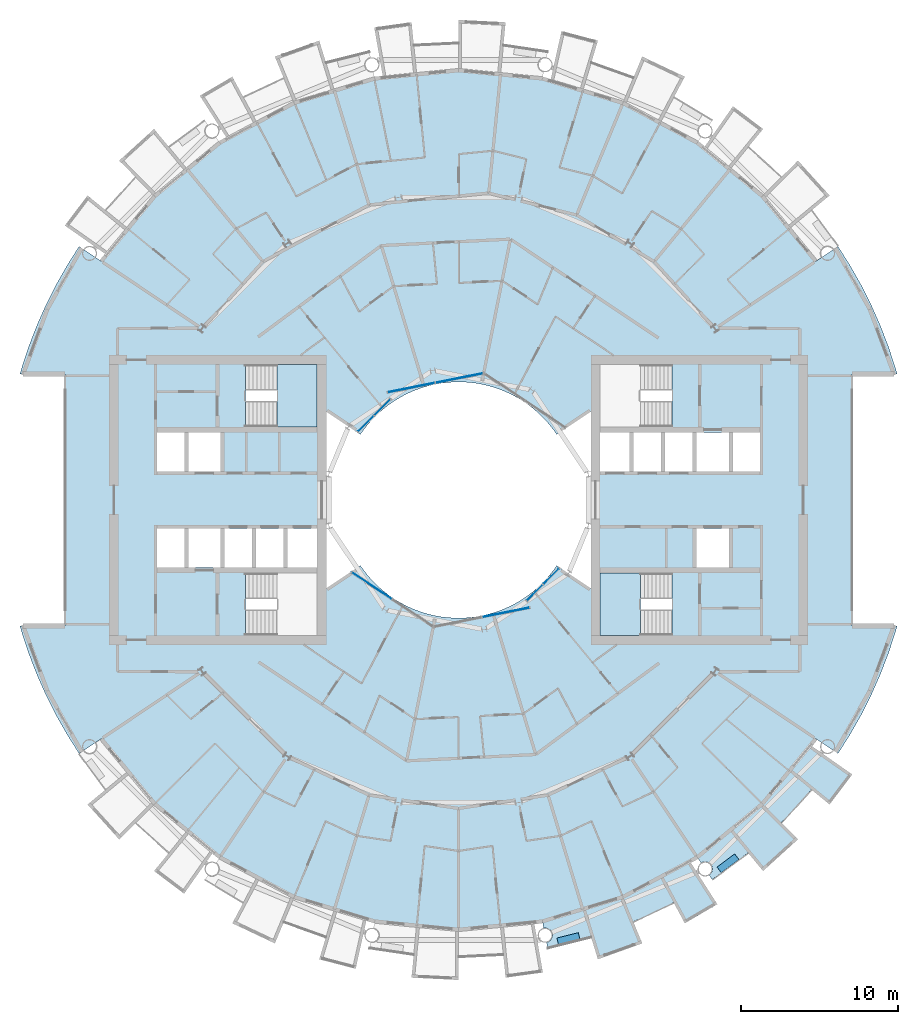
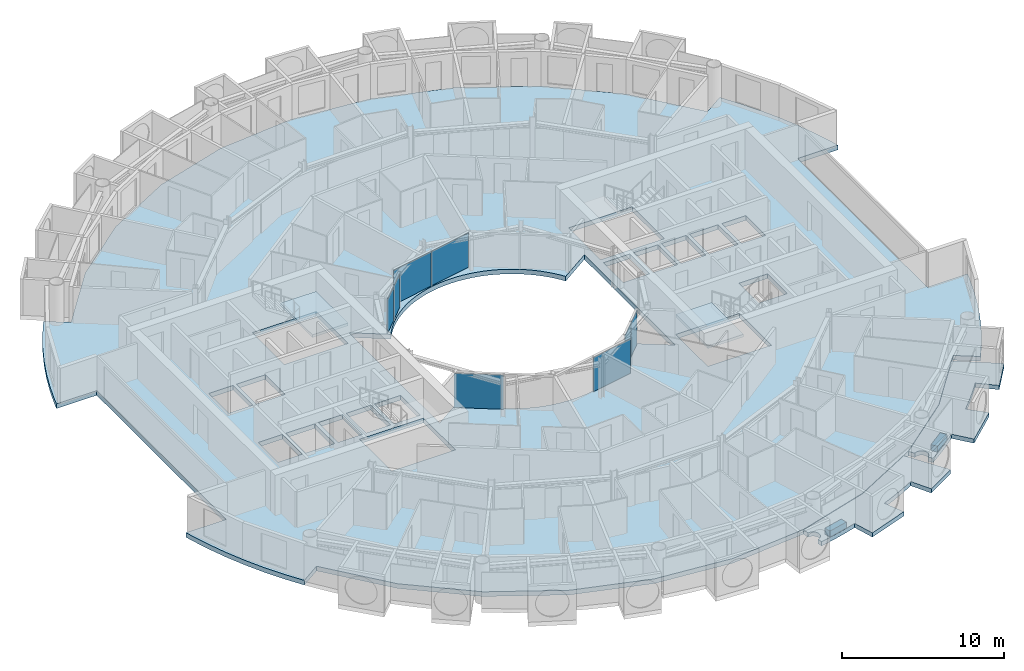
# One storey, part 11 of 27: 8 plates, 7 slabs, 7 elements without a shape of their own.
"""IFC4 building model written with IfcOpenShell, lengths in metres."""

from ifc_helpers import new_model, si_unit, direction, frame, origin, origin_2d, place, context, subcontext, project, spatial, polyline, rectangle, outline, extrude, material, layer, layer_set, type_object, element, aggregate, save


model = new_model("IFC4")

# Units and contexts
model_context = context("Model", 3, precision=1e-05, world=origin(), true_north=direction((0.0, 1.0)))
body_context = subcontext(model_context, "Body", "Model", "MODEL_VIEW")
ifc_project = project(units=[si_unit("LENGTHUNIT", "METRE"), si_unit("AREAUNIT", "SQUARE_METRE"), si_unit("VOLUMEUNIT", "CUBIC_METRE"), si_unit("PLANEANGLEUNIT", "RADIAN"), si_unit("MASSUNIT", "GRAM", prefix="KILO")], contexts=[model_context])

# Site, building, storey
site_placement = place(None, origin())
site = spatial("IfcSite", under=ifc_project, at=site_placement, CompositionType="ELEMENT")
building_placement = place(site_placement, origin())
building = spatial("IfcBuilding", under=site, at=building_placement, Name="Maasbend Ring Residences", CompositionType="ELEMENT")
storey_placement = place(building_placement, frame((0.0, 0.0, 126.89990234375)))
storey = spatial("IfcBuildingStorey", under=building, at=storey_placement, Name="L36", CompositionType="ELEMENT", Elevation=126.89990234375)

# Stair, slab
ifc_material_1 = material(Name="Concrete C40/50", Category="concrete")
stair_type = type_object("IfcStairType", Name="CORE STAIR 18 RISERS", PredefinedType="HALF_TURN_STAIR", material=ifc_material_1)
stair_1_placement = place(storey_placement, origin())
stair_1 = element("IfcStair", 1, at=stair_1_placement, inside=storey, type_object=stair_type, Name="L36 Exit stair ST-E2", PredefinedType="HALF_TURN_STAIR")
ifc_material_2 = material(Name="Concrete C40/50", Category="concrete")
ifc_layer_1 = layer(ifc_material_2, 0.199951171875)
ifc_layer_set_1 = layer_set([ifc_layer_1], Name="Concrete C40/50")
slab_type_1 = type_object("IfcSlabType", Name="CORE STAIR LANDING 200", PredefinedType="LANDING", material=ifc_layer_set_1)
slab_1_placement = place(storey_placement, frame((0.0, 0.0, 1.3251953125)))
slab_1 = element("IfcSlab", 2, at=slab_1_placement, type_object=slab_type_1, Name="ST-E2 landing 1", PredefinedType="LANDING", context=body_context, shape_type="SweptSolid", body=[
    extrude(outline(polyline([(11.550048828125, -4.64990234375), (9.0, -4.64990234375), (9.0, -8.60009765625), (11.550048828125, -8.60009765625), (11.550048828125, -4.64990234375)])), origin(), (0.0, 0.0, 1.0), 0.199951171875),
])
aggregate(stair_1, [slab_1])

stair_2_placement = place(storey_placement, origin())
stair_2 = element("IfcStair", 3, at=stair_2_placement, inside=storey, type_object=stair_type, Name="L36 Exit stair ST-W2", PredefinedType="HALF_TURN_STAIR")
slab_2_placement = place(storey_placement, frame((0.0, 0.0, 1.3251953125)))
slab_2 = element("IfcSlab", 4, at=slab_2_placement, type_object=slab_type_1, Name="ST-W2 landing 1", PredefinedType="LANDING", context=body_context, shape_type="SweptSolid", body=[
    extrude(outline(polyline([(-11.550048828125, 4.64990234375), (-9.0, 4.64990234375), (-9.0, 8.60009765625), (-11.550048828125, 8.60009765625), (-11.550048828125, 4.64990234375)])), origin(), (0.0, 0.0, 1.0), 0.199951171875),
])
aggregate(stair_2, [slab_2])

# Curtain wall, plates
ifc_material_3 = material(Name="Aluminium and clear glass", Category="aluminium")
ifc_layer_2 = layer(ifc_material_3, 0.179931640625)
ifc_layer_set_2 = layer_set([ifc_layer_2], Name="CW-W")
curtain_wall_type = type_object("IfcCurtainWallType", Name="CW-W", PredefinedType="NOTDEFINED", material=ifc_layer_set_2)
curtain_wall_1_placement = place(storey_placement, origin())
curtain_wall_1 = element("IfcCurtainWall", 5, at=curtain_wall_1_placement, inside=storey, type_object=curtain_wall_type, Name="Well curtain wall N2", PredefinedType="NOTDEFINED")
ifc_material_4 = material(Name="Glass clear laminated", Category="glass")
ifc_layer_3 = layer(ifc_material_4, 0.031982421875)
ifc_layer_set_3 = layer_set([ifc_layer_3], Name="CWP-W")
plate_type = type_object("IfcPlateType", Name="CWP-W", PredefinedType="CURTAIN_PANEL", material=ifc_layer_set_3)
plate_1_placement = place(storey_placement, frame((0.04638671875, 7.747802734375, 0.0), z_axis=(0.0, 0.0, 1.0), x_axis=(-0.980785280403, -0.195090322016, 0.0)))
plate_1 = element("IfcPlate", 6, at=plate_1_placement, type_object=plate_type, Name="Glass panel well face", PredefinedType="CURTAIN_PANEL", context=body_context, shape_type="SweptSolid", body=[
    extrude(rectangle(XDim=3.053955078125, YDim=0.031982421875, at=origin_2d()), origin(), (0.0, 0.0, 1.0), 2.580078125),
])
plate_2_placement = place(storey_placement, frame((-3.0078125, 7.140380859375, 0.0), z_axis=(0.0, 0.0, 1.0), x_axis=(-0.980785280403, -0.195090322016, 0.0)))
plate_2 = element("IfcPlate", 7, at=plate_2_placement, type_object=plate_type, Name="Glass panel well face", PredefinedType="CURTAIN_PANEL", context=body_context, shape_type="SweptSolid", body=[
    extrude(rectangle(XDim=3.053955078125, YDim=0.031982421875, at=origin_2d()), origin(), (0.0, 0.0, 1.0), 2.580078125),
])
aggregate(curtain_wall_1, [plate_1, plate_2])

curtain_wall_2_placement = place(storey_placement, origin())
curtain_wall_2 = element("IfcCurtainWall", 8, at=curtain_wall_2_placement, inside=storey, type_object=curtain_wall_type, Name="Well curtain wall N3", PredefinedType="NOTDEFINED")
plate_3_placement = place(storey_placement, frame((-4.84375, 5.89013671875, 0.0), z_axis=(0.0, 0.0, 1.0), x_axis=(-0.707106781187, -0.707106781187, 0.0)))
plate_3 = element("IfcPlate", 9, at=plate_3_placement, type_object=plate_type, Name="Glass panel well face", PredefinedType="CURTAIN_PANEL", context=body_context, shape_type="SweptSolid", body=[
    extrude(rectangle(XDim=1.419677734375, YDim=0.031982421875, at=origin_2d()), origin(), (0.0, 0.0, 1.0), 2.580078125),
])
plate_4_placement = place(storey_placement, frame((-5.89013671875, 4.84375, 0.0), z_axis=(0.0, 0.0, 1.0), x_axis=(-0.707106781187, -0.707106781187, 0.0)))
plate_4 = element("IfcPlate", 10, at=plate_4_placement, type_object=plate_type, Name="Glass panel well face", PredefinedType="CURTAIN_PANEL", context=body_context, shape_type="SweptSolid", body=[
    extrude(rectangle(XDim=1.419677734375, YDim=0.031982421875, at=origin_2d()), origin(), (0.0, 0.0, 1.0), 2.580078125),
])
aggregate(curtain_wall_2, [plate_3, plate_4])

# Curtain wall, plate
curtain_wall_3_placement = place(storey_placement, origin())
curtain_wall_3 = element("IfcCurtainWall", 11, at=curtain_wall_3_placement, inside=storey, type_object=curtain_wall_type, Name="Well curtain wall S1", PredefinedType="NOTDEFINED")
plate_5_placement = place(storey_placement, frame((-5.51123046875, -5.44580078125, 0.0), z_axis=(0.0, 0.0, 1.0), x_axis=(0.831469612303, -0.55557023302, 0.0)))
plate_5 = element("IfcPlate", 12, at=plate_5_placement, type_object=plate_type, Name="Glass panel well face", PredefinedType="CURTAIN_PANEL", context=body_context, shape_type="SweptSolid", body=[
    extrude(rectangle(XDim=3.053955078125, YDim=0.031982421875, at=origin_2d()), origin(), (0.0, 0.0, 1.0), 2.580078125),
])
aggregate(curtain_wall_3, [plate_5])

curtain_wall_4_placement = place(storey_placement, origin())
curtain_wall_4 = element("IfcCurtainWall", 13, at=curtain_wall_4_placement, inside=storey, type_object=curtain_wall_type, Name="Well curtain wall S2", PredefinedType="NOTDEFINED")
plate_6_placement = place(storey_placement, frame((3.0078125, -7.140380859375, 0.0), z_axis=(0.0, 0.0, 1.0), x_axis=(0.980785280403, 0.195090322016, 0.0)))
plate_6 = element("IfcPlate", 14, at=plate_6_placement, type_object=plate_type, Name="Glass panel well face", PredefinedType="CURTAIN_PANEL", context=body_context, shape_type="SweptSolid", body=[
    extrude(rectangle(XDim=3.053955078125, YDim=0.031982421875, at=origin_2d()), origin(), (0.0, 0.0, 1.0), 2.580078125),
])
aggregate(curtain_wall_4, [plate_6])

# Curtain wall, plates
curtain_wall_5_placement = place(storey_placement, origin())
curtain_wall_5 = element("IfcCurtainWall", 15, at=curtain_wall_5_placement, inside=storey, type_object=curtain_wall_type, Name="Well curtain wall S3", PredefinedType="NOTDEFINED")
plate_7_placement = place(storey_placement, frame((4.84375, -5.89013671875, 0.0), z_axis=(0.0, 0.0, 1.0), x_axis=(0.707106781187, 0.707106781187, 0.0)))
plate_7 = element("IfcPlate", 16, at=plate_7_placement, type_object=plate_type, Name="Glass panel well face", PredefinedType="CURTAIN_PANEL", context=body_context, shape_type="SweptSolid", body=[
    extrude(rectangle(XDim=1.419677734375, YDim=0.031982421875, at=origin_2d()), origin(), (0.0, 0.0, 1.0), 2.580078125),
])
plate_8_placement = place(storey_placement, frame((5.89013671875, -4.84375, 0.0), z_axis=(0.0, 0.0, 1.0), x_axis=(0.707106781187, 0.707106781187, 0.0)))
plate_8 = element("IfcPlate", 17, at=plate_8_placement, type_object=plate_type, Name="Glass panel well face", PredefinedType="CURTAIN_PANEL", context=body_context, shape_type="SweptSolid", body=[
    extrude(rectangle(XDim=1.419677734375, YDim=0.031982421875, at=origin_2d()), origin(), (0.0, 0.0, 1.0), 2.580078125),
])
aggregate(curtain_wall_5, [plate_7, plate_8])

# Slabs
ifc_material_5 = material(Name="Planting with climbing greenery")
ifc_layer_4 = layer(ifc_material_5, 0.449951171875)
ifc_layer_set_4 = layer_set([ifc_layer_4], Name="PLANTER-LG")
slab_type_2 = type_object("IfcSlabType", Name="PLANTER-LG", PredefinedType="USERDEFINED", material=ifc_layer_set_4)
slab_3_placement = place(storey_placement, frame((0.0, 0.0, -0.02978515625)))
element("IfcSlab", 18, at=slab_3_placement, inside=storey, type_object=slab_type_2, Name="Planter with climbing greenery 4", ObjectType="PLANTER", PredefinedType="USERDEFINED", context=body_context, shape_type="SweptSolid", body=[
    extrude(outline(polyline([(6.35888671875, -28.26708984375), (7.717041015625, -27.927001953125), (7.60791015625, -27.489990234375), (6.25, -27.8310546875), (6.35888671875, -28.26708984375)])), origin(), (0.0, 0.0, 1.0), 0.449951171875),
])
slab_4_placement = place(storey_placement, frame((0.0, 0.0, -0.02978515625)))
element("IfcSlab", 19, at=slab_4_placement, inside=storey, type_object=slab_type_2, Name="Planter with climbing greenery 5", ObjectType="PLANTER", PredefinedType="USERDEFINED", context=body_context, shape_type="SweptSolid", body=[
    extrude(outline(polyline([(16.69189453125, -23.681884765625), (17.81689453125, -22.847900390625), (17.549072265625, -22.487060546875), (16.424072265625, -23.321044921875), (16.69189453125, -23.681884765625)])), origin(), (0.0, 0.0, 1.0), 0.449951171875),
])
ifc_material_6 = material(Name="Concrete C40/50", Category="concrete")
ifc_layer_5 = layer(ifc_material_6, 0.35009765625)
ifc_layer_set_5 = layer_set([ifc_layer_5], Name="Concrete C40/50")
slab_type_3 = type_object("IfcSlabType", Name="Post-tensioned flat plate 350", PredefinedType="FLOOR", material=ifc_layer_set_5)
slab_5_placement = place(storey_placement, frame((0.0, 0.0, -0.349853515625)))
element("IfcSlab", 20, at=slab_5_placement, inside=storey, type_object=slab_type_3, Name="Floor slab L36", PredefinedType="FLOOR", context=body_context, shape_type="SweptSolid", body=[
    extrude(outline(polyline([(24.8740234375, -14.908935546875), (25.57568359375, -13.67041015625), (26.2158203125, -12.399169921875), (26.79248046875, -11.097900390625), (27.3046875, -9.769775390625), (27.751220703125, -8.418212890625), (27.866943359375, -8.0), (25.0, -8.0), (25.0, 8.0), (27.866943359375, 8.0), (27.751220703125, 8.418212890625), (27.3046875, 9.769775390625), (26.79248046875, 11.097900390625), (26.2158203125, 12.399169921875), (25.57568359375, 13.67041015625), (24.8740234375, 14.908935546875), (24.112548828125, 16.111572265625), (22.69921875, 15.1669921875), (19.303955078125, 19.303955078125), (15.1669921875, 22.69921875), (10.447265625, 25.221923828125), (5.325927734375, 26.775390625), (0.0, 27.300048828125), (-5.325927734375, 26.775390625), (-10.447265625, 25.221923828125), (-15.1669921875, 22.69921875), (-19.303955078125, 19.303955078125), (-22.69921875, 15.1669921875), (-24.112548828125, 16.111572265625), (-24.8740234375, 14.908935546875), (-25.57568359375, 13.67041015625), (-26.2158203125, 12.399169921875), (-26.79248046875, 11.097900390625), (-27.3046875, 9.769775390625), (-27.751220703125, 8.418212890625), (-27.866943359375, 8.0), (-25.0, 8.0), (-25.0, -8.0), (-27.866943359375, -8.0), (-27.751220703125, -8.418212890625), (-27.3046875, -9.769775390625), (-26.79248046875, -11.097900390625), (-26.2158203125, -12.399169921875), (-25.57568359375, -13.67041015625), (-24.8740234375, -14.908935546875), (-24.112548828125, -16.111572265625), (-22.69921875, -15.1669921875), (-19.303955078125, -19.303955078125), (-15.1669921875, -22.69921875), (-10.447265625, -25.221923828125), (-5.325927734375, -26.775390625), (0.0, -27.300048828125), (5.325927734375, -26.775390625), (10.447265625, -25.221923828125), (15.1669921875, -22.69921875), (19.303955078125, -19.303955078125), (22.69921875, -15.1669921875), (24.112548828125, -16.111572265625), (24.8740234375, -14.908935546875)]), holes=[polyline([(17.425048828125, 4.27490234375), (19.14990234375, 4.27490234375), (19.14990234375, 1.824951171875), (17.425048828125, 1.824951171875), (17.425048828125, 4.27490234375)]), polyline([(15.125, 1.824951171875), (15.125, 4.27490234375), (17.175048828125, 4.27490234375), (17.175048828125, 1.824951171875), (15.125, 1.824951171875)]), polyline([(15.125, -4.27490234375), (15.125, -1.824951171875), (17.175048828125, -1.824951171875), (17.175048828125, -4.27490234375), (15.125, -4.27490234375)]), polyline([(13.125, 1.824951171875), (13.125, 4.27490234375), (14.875, 4.27490234375), (14.875, 1.824951171875), (13.125, 1.824951171875)]), polyline([(13.550048828125, 4.64990234375), (9.0, 4.64990234375), (9.0, 8.60009765625), (13.550048828125, 8.60009765625), (13.550048828125, 4.64990234375)]), polyline([(13.550048828125, -4.64990234375), (13.550048828125, -8.60009765625), (9.0, -8.60009765625), (9.0, -4.64990234375), (13.550048828125, -4.64990234375)]), polyline([(11.125, 1.824951171875), (11.125, 4.27490234375), (12.875, 4.27490234375), (12.875, 1.824951171875), (11.125, 1.824951171875)]), polyline([(9.0, 1.824951171875), (9.0, 4.27490234375), (10.875, 4.27490234375), (10.875, 1.824951171875), (9.0, 1.824951171875)]), polyline([(6.024169921875, 4.4677734375), (6.236083984375, 4.166748046875), (8.39990234375, 5.61279296875), (8.39990234375, -5.61279296875), (6.236083984375, -4.166748046875), (6.024169921875, -4.4677734375), (5.797607421875, -4.7578125), (5.55712890625, -5.03662109375), (5.30322265625, -5.30322265625), (5.03662109375, -5.55712890625), (4.7578125, -5.797607421875), (4.4677734375, -6.024169921875), (4.166748046875, -6.236083984375), (3.855712890625, -6.43310546875), (3.535400390625, -6.614501953125), (3.206787109375, -6.77978515625), (2.8701171875, -6.92919921875), (2.526611328125, -7.0615234375), (2.177001953125, -7.177001953125), (1.822509765625, -7.275146484375), (1.463134765625, -7.35595703125), (1.1005859375, -7.418701171875), (0.735107421875, -7.4638671875), (0.367919921875, -7.490966796875), (0.0, -7.5), (-0.367919921875, -7.490966796875), (-0.735107421875, -7.4638671875), (-1.1005859375, -7.418701171875), (-1.463134765625, -7.35595703125), (-1.822509765625, -7.275146484375), (-2.177001953125, -7.177001953125), (-2.526611328125, -7.0615234375), (-2.8701171875, -6.92919921875), (-3.206787109375, -6.77978515625), (-3.535400390625, -6.614501953125), (-3.855712890625, -6.43310546875), (-4.166748046875, -6.236083984375), (-4.4677734375, -6.024169921875), (-4.7578125, -5.797607421875), (-5.03662109375, -5.55712890625), (-5.30322265625, -5.30322265625), (-5.55712890625, -5.03662109375), (-5.797607421875, -4.7578125), (-6.024169921875, -4.4677734375), (-6.236083984375, -4.166748046875), (-8.39990234375, -5.61279296875), (-8.39990234375, 5.61279296875), (-6.236083984375, 4.166748046875), (-6.236083984375, 4.166748046875), (-6.024169921875, 4.4677734375), (-5.797607421875, 4.7578125), (-5.55712890625, 5.03662109375), (-5.30322265625, 5.30322265625), (-5.03662109375, 5.55712890625), (-4.7578125, 5.797607421875), (-4.4677734375, 6.024169921875), (-4.166748046875, 6.236083984375), (-3.855712890625, 6.43310546875), (-3.535400390625, 6.614501953125), (-3.206787109375, 6.77978515625), (-2.8701171875, 6.92919921875), (-2.526611328125, 7.0615234375), (-2.177001953125, 7.177001953125), (-1.822509765625, 7.275146484375), (-1.463134765625, 7.35595703125), (-1.1005859375, 7.418701171875), (-0.735107421875, 7.4638671875), (-0.367919921875, 7.490966796875), (0.0, 7.5), (0.367919921875, 7.490966796875), (0.735107421875, 7.4638671875), (1.1005859375, 7.418701171875), (1.463134765625, 7.35595703125), (1.822509765625, 7.275146484375), (2.177001953125, 7.177001953125), (2.526611328125, 7.0615234375), (2.8701171875, 6.92919921875), (3.206787109375, 6.77978515625), (3.535400390625, 6.614501953125), (3.855712890625, 6.43310546875), (4.166748046875, 6.236083984375), (4.4677734375, 6.024169921875), (4.7578125, 5.797607421875), (5.03662109375, 5.55712890625), (5.30322265625, 5.30322265625), (5.55712890625, 5.03662109375), (5.797607421875, 4.7578125), (6.024169921875, 4.4677734375)]), polyline([(-13.550048828125, 4.64990234375), (-13.550048828125, 8.60009765625), (-9.0, 8.60009765625), (-9.0, 4.64990234375), (-13.550048828125, 4.64990234375)]), polyline([(-13.550048828125, -8.60009765625), (-13.550048828125, -4.64990234375), (-9.0, -4.64990234375), (-9.0, -8.60009765625), (-13.550048828125, -8.60009765625)]), polyline([(-9.0, -1.824951171875), (-9.0, -4.27490234375), (-10.875, -4.27490234375), (-10.875, -1.824951171875), (-9.0, -1.824951171875)]), polyline([(-11.125, -1.824951171875), (-11.125, -4.27490234375), (-12.875, -4.27490234375), (-12.875, -1.824951171875), (-11.125, -1.824951171875)]), polyline([(-13.125, -1.824951171875), (-13.125, -4.27490234375), (-14.875, -4.27490234375), (-14.875, -1.824951171875), (-13.125, -1.824951171875)]), polyline([(-15.125, 4.27490234375), (-15.125, 1.824951171875), (-17.175048828125, 1.824951171875), (-17.175048828125, 4.27490234375), (-15.125, 4.27490234375)]), polyline([(-15.125, -1.824951171875), (-15.125, -4.27490234375), (-17.175048828125, -4.27490234375), (-17.175048828125, -1.824951171875), (-15.125, -1.824951171875)]), polyline([(-17.425048828125, -1.824951171875), (-17.425048828125, -4.27490234375), (-19.14990234375, -4.27490234375), (-19.14990234375, -1.824951171875), (-17.425048828125, -1.824951171875)]), polyline([(-17.425048828125, 4.27490234375), (-17.425048828125, 1.824951171875), (-19.14990234375, 1.824951171875), (-19.14990234375, 4.27490234375), (-17.425048828125, 4.27490234375)])]), origin(), (0.0, 0.0, 1.0), 0.349853515625),
])
ifc_material_7 = material(Name="Concrete C40/50", Category="concrete")
ifc_layer_6 = layer(ifc_material_7, 0.199951171875)
ifc_layer_set_6 = layer_set([ifc_layer_6], Name="Concrete C40/50")
slab_type_4 = type_object("IfcSlabType", Name="SL-LOGGIA", PredefinedType="FLOOR", material=ifc_layer_set_6)
slab_6_placement = place(storey_placement, frame((0.0, 0.0, -0.349853515625)))
element("IfcSlab", 21, at=slab_6_placement, inside=storey, type_object=slab_type_4, Name="Loggia floor 2", PredefinedType="FLOOR", context=body_context, shape_type="SweptSolid", body=[
    extrude(outline(polyline([(10.447021484375, -25.221923828125), (12.806884765625, -23.9609375), (14.68994140625, -22.9541015625), (14.68994140625, -22.9541015625), (14.68994140625, -22.9541015625), (16.44091796875, -25.68994140625), (16.44091796875, -25.68994140625), (16.44091796875, -25.68994140625), (14.3779296875, -26.89892578125), (14.3779296875, -26.89892578125), (14.3779296875, -26.89892578125), (13.6708984375, -25.575927734375), (13.6708984375, -25.575927734375), (13.6708984375, -25.575927734375), (13.6708984375, -25.575927734375), (13.6708984375, -25.575927734375), (13.6708984375, -25.575927734375), (13.6708984375, -25.575927734375), (13.669921875, -25.575927734375), (13.669921875, -25.575927734375), (13.669921875, -25.575927734375), (13.669921875, -25.575927734375), (13.669921875, -25.575927734375), (13.669921875, -25.575927734375), (13.669921875, -25.575927734375), (13.669921875, -25.575927734375), (13.669921875, -25.575927734375), (13.669921875, -25.575927734375), (12.825927734375, -26.009033203125), (12.825927734375, -26.009033203125), (11.968994140625, -26.4150390625), (11.968994140625, -26.4150390625), (11.097900390625, -26.7919921875), (11.097900390625, -26.7919921875), (11.097900390625, -26.7919921875), (11.097900390625, -26.7919921875), (11.097900390625, -26.7919921875), (11.097900390625, -26.7919921875), (11.097900390625, -26.7919921875), (11.097900390625, -26.79296875), (11.097900390625, -26.79296875), (11.097900390625, -26.79296875), (11.097900390625, -26.79296875), (11.097900390625, -26.79296875), (11.097900390625, -26.79296875), (11.097900390625, -26.79296875), (11.097900390625, -26.79296875), (11.097900390625, -26.79296875), (11.097900390625, -26.79296875), (11.672119140625, -28.177978515625), (11.672119140625, -28.177978515625), (11.672119140625, -28.177978515625), (8.85400390625, -29.18701171875), (8.85400390625, -29.18701171875), (8.85400390625, -29.18701171875), (8.41796875, -27.751953125), (8.41796875, -27.751953125), (8.41796875, -27.751953125), (8.41796875, -27.751953125), (8.41796875, -27.751953125), (8.41796875, -27.751953125), (8.41796875, -27.751953125), (8.41796875, -27.7509765625), (8.41796875, -27.7509765625), (8.41796875, -27.7509765625), (8.41796875, -27.7509765625), (8.41796875, -27.7509765625), (8.41796875, -27.7509765625), (8.41796875, -27.7509765625), (8.41796875, -27.7509765625), (8.41796875, -27.7509765625), (8.41796875, -27.7509765625), (7.506103515625, -28.011962890625), (7.506103515625, -28.011962890625), (6.5849609375, -28.241943359375), (6.5849609375, -28.241943359375), (5.657958984375, -28.443115234375), (5.657958984375, -28.443115234375), (5.657958984375, -28.443115234375), (5.591064453125, -28.10595703125), (5.60205078125, -28.10400390625), (5.613037109375, -28.10107421875), (5.623046875, -28.09912109375), (5.634033203125, -28.094970703125), (5.64501953125, -28.092041015625), (5.655029296875, -28.087890625), (5.666015625, -28.083984375), (5.676025390625, -28.080078125), (5.68701171875, -28.075927734375), (5.697021484375, -28.071044921875), (5.70703125, -28.06591796875), (5.717041015625, -28.06103515625), (5.72705078125, -28.055908203125), (5.736083984375, -28.050048828125), (5.74609375, -28.0439453125), (5.7548828125, -28.0380859375), (5.764892578125, -28.031982421875), (5.77392578125, -28.02490234375), (5.782958984375, -28.01806640625), (5.791015625, -28.010986328125), (5.800048828125, -28.00390625), (5.80810546875, -27.9970703125), (5.81689453125, -27.989013671875), (5.824951171875, -27.98095703125), (5.83203125, -27.972900390625), (5.840087890625, -27.965087890625), (5.847900390625, -27.95703125), (5.85498046875, -27.947998046875), (5.862060546875, -27.93896484375), (5.868896484375, -27.929931640625), (5.875, -27.9208984375), (5.881103515625, -27.912109375), (5.887939453125, -27.903076171875), (5.89306640625, -27.89306640625), (5.89892578125, -27.883056640625), (5.905029296875, -27.8740234375), (5.909912109375, -27.864013671875), (5.9150390625, -27.85302734375), (5.9189453125, -27.843017578125), (5.924072265625, -27.8330078125), (5.927978515625, -27.822998046875), (5.931884765625, -27.81201171875), (5.93505859375, -27.801025390625), (5.93896484375, -27.791015625), (5.94189453125, -27.780029296875), (5.945068359375, -27.76904296875), (5.947021484375, -27.758056640625), (5.949951171875, -27.7470703125), (5.951904296875, -27.736083984375), (5.9541015625, -27.72509765625), (5.955078125, -27.714111328125), (5.9560546875, -27.702880859375), (5.95703125, -27.69189453125), (5.9580078125, -27.680908203125), (5.9580078125, -27.6689453125), (5.9580078125, -27.657958984375), (5.9580078125, -27.64697265625), (5.9580078125, -27.635986328125), (5.95703125, -27.6240234375), (5.9560546875, -27.613037109375), (5.955078125, -27.60205078125), (5.9541015625, -27.591064453125), (5.951904296875, -27.580078125), (5.949951171875, -27.569091796875), (5.947021484375, -27.55810546875), (5.945068359375, -27.547119140625), (5.94189453125, -27.535888671875), (5.93896484375, -27.52490234375), (5.93505859375, -27.514892578125), (5.931884765625, -27.50390625), (5.927978515625, -27.493896484375), (5.924072265625, -27.48291015625), (5.9189453125, -27.472900390625), (5.9150390625, -27.462890625), (5.909912109375, -27.452880859375), (5.905029296875, -27.443115234375), (5.89892578125, -27.43310546875), (5.89306640625, -27.423095703125), (5.887939453125, -27.4140625), (5.881103515625, -27.404052734375), (5.875, -27.39501953125), (5.868896484375, -27.385986328125), (5.862060546875, -27.376953125), (5.85498046875, -27.367919921875), (5.847900390625, -27.360107421875), (5.840087890625, -27.35107421875), (5.83203125, -27.343017578125), (5.824951171875, -27.3349609375), (5.81689453125, -27.326904296875), (5.80810546875, -27.319091796875), (5.800048828125, -27.31201171875), (5.791015625, -27.304931640625), (5.782958984375, -27.298095703125), (5.77392578125, -27.291015625), (5.764892578125, -27.283935546875), (5.7548828125, -27.278076171875), (5.74609375, -27.27197265625), (5.736083984375, -27.26611328125), (5.72705078125, -27.260009765625), (5.717041015625, -27.2548828125), (5.70703125, -27.25), (5.697021484375, -27.2451171875), (5.68701171875, -27.239990234375), (5.676025390625, -27.236083984375), (5.666015625, -27.23193359375), (5.655029296875, -27.22802734375), (5.64501953125, -27.22412109375), (5.634033203125, -27.220947265625), (5.623046875, -27.218017578125), (5.613037109375, -27.215087890625), (5.60205078125, -27.2119140625), (5.591064453125, -27.2099609375), (5.580078125, -27.2080078125), (5.569091796875, -27.2060546875), (5.556884765625, -27.205078125), (5.5458984375, -27.202880859375), (5.534912109375, -27.201904296875), (5.52392578125, -27.201904296875), (5.512939453125, -27.200927734375), (5.501953125, -27.200927734375), (5.489990234375, -27.200927734375), (5.47900390625, -27.201904296875), (5.468017578125, -27.201904296875), (5.45703125, -27.202880859375), (5.446044921875, -27.205078125), (5.43408203125, -27.2060546875), (5.423095703125, -27.2080078125), (5.412109375, -27.2099609375), (5.325927734375, -26.77490234375), (5.325927734375, -26.77490234375), (5.325927734375, -26.77490234375), (7.886962890625, -25.9990234375), (10.447021484375, -25.221923828125), (10.447021484375, -25.221923828125), (10.447021484375, -25.221923828125)])), origin(), (0.0, 0.0, 1.0), 0.320068359375),
])
slab_7_placement = place(storey_placement, frame((0.0, 0.0, -0.349853515625)))
element("IfcSlab", 22, at=slab_7_placement, inside=storey, type_object=slab_type_4, Name="Loggia floor 5", PredefinedType="FLOOR", context=body_context, shape_type="SweptSolid", body=[
    extrude(outline(polyline([(19.303955078125, -19.303955078125), (21.001953125, -17.236083984375), (22.35595703125, -15.5849609375), (22.35595703125, -15.5849609375), (22.35595703125, -15.5849609375), (25.02001953125, -17.44189453125), (25.02001953125, -17.44189453125), (25.02001953125, -17.44189453125), (23.576904296875, -19.34912109375), (23.576904296875, -19.34912109375), (23.576904296875, -19.34912109375), (22.41796875, -18.39794921875), (22.41796875, -18.39794921875), (22.41796875, -18.39794921875), (22.41796875, -18.39794921875), (22.41796875, -18.39794921875), (22.4169921875, -18.39794921875), (22.4169921875, -18.39794921875), (22.4169921875, -18.39794921875), (22.4169921875, -18.39794921875), (22.4169921875, -18.39794921875), (22.4169921875, -18.39794921875), (22.4169921875, -18.39794921875), (22.4169921875, -18.39794921875), (22.4169921875, -18.39794921875), (22.4169921875, -18.39794921875), (22.4169921875, -18.39794921875), (22.4169921875, -18.39794921875), (21.802978515625, -19.12109375), (21.802978515625, -19.12109375), (21.166015625, -19.823974609375), (21.166015625, -19.823974609375), (20.506103515625, -20.506103515625), (20.506103515625, -20.506103515625), (20.506103515625, -20.506103515625), (20.506103515625, -20.506103515625), (20.506103515625, -20.506103515625), (20.506103515625, -20.506103515625), (20.506103515625, -20.506103515625), (20.506103515625, -20.506103515625), (20.506103515625, -20.506103515625), (20.506103515625, -20.506103515625), (20.506103515625, -20.506103515625), (20.506103515625, -20.506103515625), (20.506103515625, -20.506103515625), (20.506103515625, -20.506103515625), (20.506103515625, -20.506103515625), (20.506103515625, -20.506103515625), (20.506103515625, -20.506103515625), (21.56689453125, -21.56689453125), (21.56689453125, -21.56689453125), (21.56689453125, -21.56689453125), (19.34912109375, -23.576904296875), (19.34912109375, -23.576904296875), (19.34912109375, -23.576904296875), (18.39794921875, -22.41796875), (18.39794921875, -22.41796875), (18.39794921875, -22.41796875), (18.39794921875, -22.41796875), (18.39794921875, -22.41796875), (18.39794921875, -22.41796875), (18.39697265625, -22.41796875), (18.39697265625, -22.41796875), (18.39697265625, -22.41796875), (18.39697265625, -22.41796875), (18.39697265625, -22.41796875), (18.39697265625, -22.41796875), (18.39697265625, -22.41796875), (18.39697265625, -22.41796875), (18.39697265625, -22.41796875), (18.39697265625, -22.41796875), (18.39697265625, -22.41796875), (17.654052734375, -23.007080078125), (17.654052734375, -23.007080078125), (16.89208984375, -23.572998046875), (16.89208984375, -23.572998046875), (16.112060546875, -24.113037109375), (16.112060546875, -24.113037109375), (16.112060546875, -24.113037109375), (15.9208984375, -23.826904296875), (15.9208984375, -23.826904296875), (15.929931640625, -23.821044921875), (15.93896484375, -23.81396484375), (15.947998046875, -23.80810546875), (15.95703125, -23.801025390625), (15.966064453125, -23.79296875), (15.97412109375, -23.785888671875), (15.98193359375, -23.778076171875), (15.989990234375, -23.77099609375), (15.998046875, -23.762939453125), (16.006103515625, -23.75390625), (16.012939453125, -23.74609375), (16.02001953125, -23.737060546875), (16.027099609375, -23.72900390625), (16.033935546875, -23.719970703125), (16.041015625, -23.7109375), (16.047119140625, -23.700927734375), (16.052978515625, -23.69189453125), (16.05908203125, -23.681884765625), (16.06494140625, -23.673095703125), (16.070068359375, -23.6630859375), (16.074951171875, -23.653076171875), (16.080078125, -23.64306640625), (16.0849609375, -23.633056640625), (16.089111328125, -23.6220703125), (16.093017578125, -23.612060546875), (16.096923828125, -23.60107421875), (16.10107421875, -23.591064453125), (16.10400390625, -23.580078125), (16.10791015625, -23.569091796875), (16.110107421875, -23.55810546875), (16.113037109375, -23.548095703125), (16.114990234375, -23.537109375), (16.116943359375, -23.52587890625), (16.118896484375, -23.513916015625), (16.12109375, -23.5029296875), (16.1220703125, -23.491943359375), (16.123046875, -23.48095703125), (16.1240234375, -23.469970703125), (16.1240234375, -23.458984375), (16.1240234375, -23.447021484375), (16.1240234375, -23.43603515625), (16.1240234375, -23.425048828125), (16.123046875, -23.4140625), (16.1220703125, -23.403076171875), (16.12109375, -23.39111328125), (16.118896484375, -23.3798828125), (16.116943359375, -23.368896484375), (16.114990234375, -23.35791015625), (16.113037109375, -23.346923828125), (16.110107421875, -23.3359375), (16.10791015625, -23.325927734375), (16.10400390625, -23.31494140625), (16.10107421875, -23.303955078125), (16.096923828125, -23.29296875), (16.093017578125, -23.282958984375), (16.089111328125, -23.27294921875), (16.0849609375, -23.261962890625), (16.080078125, -23.251953125), (16.074951171875, -23.241943359375), (16.070068359375, -23.23193359375), (16.06494140625, -23.221923828125), (16.05908203125, -23.2119140625), (16.052978515625, -23.202880859375), (16.047119140625, -23.194091796875), (16.041015625, -23.18408203125), (16.033935546875, -23.175048828125), (16.027099609375, -23.166015625), (16.02001953125, -23.156982421875), (16.012939453125, -23.14892578125), (16.006103515625, -23.139892578125), (15.998046875, -23.132080078125), (15.989990234375, -23.1240234375), (15.98193359375, -23.115966796875), (15.97412109375, -23.10888671875), (15.966064453125, -23.10107421875), (15.95703125, -23.093994140625), (15.947998046875, -23.0869140625), (15.93896484375, -23.080078125), (15.929931640625, -23.073974609375), (15.9208984375, -23.06689453125), (15.912109375, -23.06103515625), (15.902099609375, -23.054931640625), (15.89208984375, -23.050048828125), (15.883056640625, -23.0439453125), (15.873046875, -23.0390625), (15.862060546875, -23.033935546875), (15.85205078125, -23.030029296875), (15.842041015625, -23.02490234375), (15.83203125, -23.02099609375), (15.821044921875, -23.01708984375), (15.81005859375, -23.012939453125), (15.800048828125, -23.010009765625), (15.7890625, -23.007080078125), (15.778076171875, -23.00390625), (15.76708984375, -23.001953125), (15.756103515625, -22.9990234375), (15.7451171875, -22.9970703125), (15.73388671875, -22.9951171875), (15.722900390625, -22.993896484375), (15.7119140625, -22.992919921875), (15.700927734375, -22.991943359375), (15.68994140625, -22.990966796875), (15.677978515625, -22.990966796875), (15.6669921875, -22.989990234375), (15.656005859375, -22.990966796875), (15.64501953125, -22.990966796875), (15.633056640625, -22.991943359375), (15.6220703125, -22.992919921875), (15.611083984375, -22.993896484375), (15.60009765625, -22.9951171875), (15.589111328125, -22.9970703125), (15.577880859375, -22.9990234375), (15.56689453125, -23.001953125), (15.555908203125, -23.00390625), (15.544921875, -23.007080078125), (15.533935546875, -23.010009765625), (15.52392578125, -23.012939453125), (15.512939453125, -23.01708984375), (15.5029296875, -23.02099609375), (15.491943359375, -23.02490234375), (15.48193359375, -23.030029296875), (15.471923828125, -23.033935546875), (15.4619140625, -23.0390625), (15.451904296875, -23.0439453125), (15.44189453125, -23.050048828125), (15.431884765625, -23.054931640625), (15.423095703125, -23.06103515625), (15.4130859375, -23.06689453125), (15.4130859375, -23.06689453125), (15.1669921875, -22.698974609375), (15.1669921875, -22.698974609375), (15.1669921875, -22.698974609375), (17.236083984375, -21.001953125), (19.303955078125, -19.303955078125), (19.303955078125, -19.303955078125), (19.303955078125, -19.303955078125)])), origin(), (0.0, 0.0, 1.0), 0.320068359375),
])

save(model, "model.ifc")
